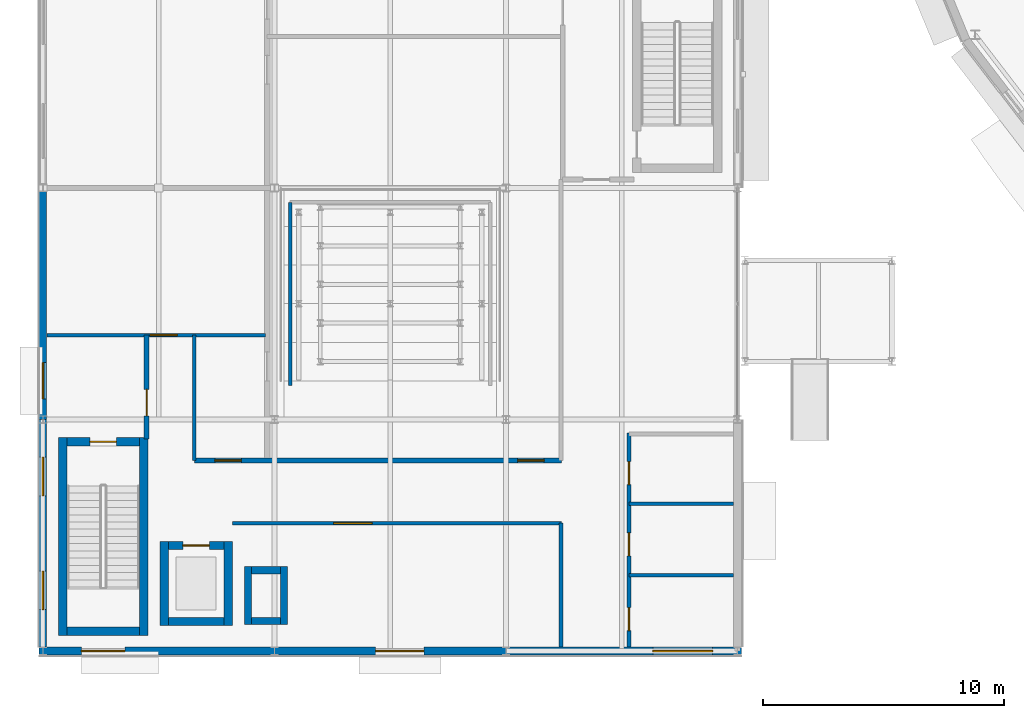
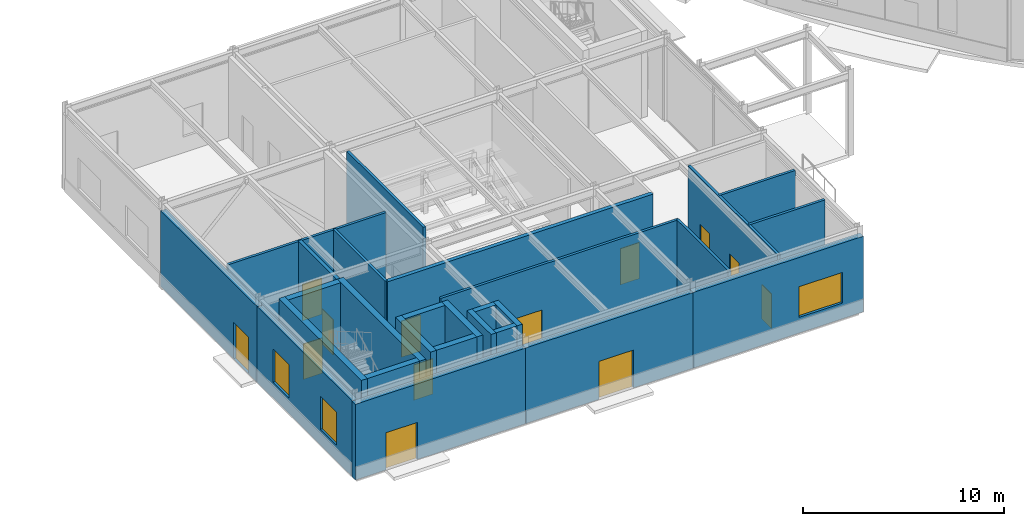
# One storey, part 117 of 168: 27 walls, 13 doors, 3 windows, 16 openings.
"""IFC4 building model written with IfcOpenShell, lengths in metres."""

from ifc_helpers import new_model, si_unit, direction, frame, frame_2d, origin, place, context, subcontext, project, spatial, rectangle, extrude, material, layer, layer_set, type_object, element, fill, save


model = new_model("IFC4")

# Units and contexts
model_context = context("Model", 3, precision=1e-05, world=origin(), true_north=direction((0.0, 1.0)))
body_context = subcontext(model_context, "Body", "Model", "MODEL_VIEW")
ifc_project = project(units=[si_unit("LENGTHUNIT", "METRE"), si_unit("AREAUNIT", "SQUARE_METRE"), si_unit("VOLUMEUNIT", "CUBIC_METRE"), si_unit("PLANEANGLEUNIT", "RADIAN"), si_unit("MASSUNIT", "GRAM", prefix="KILO")], contexts=[model_context])

# Site, building, storey
site_placement = place(None, origin())
site = spatial("IfcSite", under=ifc_project, at=site_placement, CompositionType="ELEMENT")
building_placement = place(site_placement, origin())
building = spatial("IfcBuilding", under=site, at=building_placement, Name="Almandine Court Research Institute", CompositionType="ELEMENT")
storey_placement = place(building_placement, origin())
storey = spatial("IfcBuildingStorey", under=building, at=storey_placement, Name="L00", CompositionType="ELEMENT", Elevation=0.0)

# Wall, openings, doors
ifc_material_1 = material(Name="STC-55 Double-Stud Lecture Acoustic Wall")
ifc_layer_1 = layer(ifc_material_1, 0.22509765625)
ifc_layer_set_1 = layer_set([ifc_layer_1], Name="STC-55 Double-Stud Lecture Acoustic Wall")
wall_type_1 = type_object("IfcWallType", Name="Wall-ACOUSTIC-225", PredefinedType="SOLIDWALL", material=ifc_layer_set_1)
wall_1_placement = place(storey_placement, frame((12.280029296875, 13.89990234375, 0.0), z_axis=(0.0, 0.0, 1.0), x_axis=(1.0, 0.0, 0.0)))
wall_1 = element("IfcWall", 1, at=wall_1_placement, inside=storey, type_object=wall_type_1, Name="L00 Interior Partition W-V1-L00-VESTW", PredefinedType="SOLIDWALL", context=body_context, shape_type="SweptSolid", body=[
    extrude(rectangle(XDim=15.219970703125, YDim=0.22509765625, at=frame_2d((7.60986328125, 0.0))), origin(), (0.0, 0.0, 1.0), 4.929931640625),
])
opening_1_placement = place(wall_1_placement, frame((0.85009765625, 0.0, 0.0)))
opening_1 = element("IfcOpeningElement", 2, at=opening_1_placement, cuts=wall_1, Name="Opening D-03", PredefinedType="OPENING", context=body_context, shape_type="SweptSolid", body=[
    extrude(rectangle(XDim=1.10009765625, YDim=2.199951171875, at=frame_2d((0.550048828125, 1.10009765625))), frame((0.0, 0.12255859375, 0.0), z_axis=(0.0, -1.0, 0.0), x_axis=(1.0, 0.0, 0.0)), (0.0, 0.0, 1.0), 0.2451171875),
])
opening_2_placement = place(wall_1_placement, frame((13.39990234375, 0.0, 0.0)))
opening_2 = element("IfcOpeningElement", 3, at=opening_2_placement, cuts=wall_1, Name="Opening D-03", PredefinedType="OPENING", context=body_context, shape_type="SweptSolid", body=[
    extrude(rectangle(XDim=1.10009765625, YDim=2.199951171875, at=frame_2d((0.550048828125, 1.10009765625))), frame((0.0, 0.12255859375, 0.0), z_axis=(0.0, -1.0, 0.0), x_axis=(1.0, 0.0, 0.0)), (0.0, 0.0, 1.0), 0.2451171875),
])
ifc_material_2 = material(Name="Acoustic Vision-Panel Seminar Door")
door_type_1 = type_object("IfcDoorType", Name="Door-INT-1100", OperationType="NOTDEFINED", PredefinedType="DOOR", material=ifc_material_2)
door_1_placement = place(opening_1_placement, origin())
door_1 = element("IfcDoor", 4, at=door_1_placement, inside=storey, type_object=door_type_1, Name="L00 Lecture Vestibule Outer Door", OperationType="SINGLE_SWING_RIGHT", OverallHeight=2.199951171875, OverallWidth=1.10009765625, PredefinedType="DOOR", context=body_context, shape_type="SweptSolid", body=[
    extrude(rectangle(XDim=1.10009765625, YDim=2.199951171875, at=frame_2d((0.550048828125, 1.10009765625))), frame((0.0, 0.02490234375, 0.0), z_axis=(0.0, -1.0, 0.0), x_axis=(1.0, 0.0, 0.0)), (0.0, 0.0, 1.0), 0.050048828125),
])
fill(opening_1, door_1)
door_2_placement = place(opening_2_placement, origin())
door_2 = element("IfcDoor", 5, at=door_2_placement, inside=storey, type_object=door_type_1, Name="L00 East Vestibule Outer Door", OperationType="SINGLE_SWING_LEFT", OverallHeight=2.199951171875, OverallWidth=1.10009765625, PredefinedType="DOOR", context=body_context, shape_type="SweptSolid", body=[
    extrude(rectangle(XDim=1.10009765625, YDim=2.199951171875, at=frame_2d((0.550048828125, 1.10009765625))), frame((0.0, 0.02490234375, 0.0), z_axis=(0.0, -1.0, 0.0), x_axis=(1.0, 0.0, 0.0)), (0.0, 0.0, 1.0), 0.050048828125),
])
fill(opening_2, door_2)

# Wall, openings, windows
ifc_material_3 = material(Name="Acoustic Lecture Pavilion Masonry Wall", Category="masonry")
ifc_layer_2 = layer(ifc_material_3, 0.31005859375)
ifc_layer_set_2 = layer_set([ifc_layer_2], Name="Acoustic Lecture Pavilion Masonry Wall")
wall_type_2 = type_object("IfcWallType", Name="Wall-EXT-ACOU-310", PredefinedType="SOLIDWALL", material=ifc_layer_set_2)
wall_2_placement = place(storey_placement, frame((6.0, 6.158935546875, 0.0), z_axis=(0.0, 0.0, 1.0), x_axis=(0.0, 1.0, 0.0)))
wall_2 = element("IfcWall", 6, at=wall_2_placement, inside=storey, type_object=wall_type_2, Name="L00 Lecture Pavilion West Acoustic Wall 1", PredefinedType="SOLIDWALL", context=body_context, shape_type="SweptSolid", body=[
    extrude(rectangle(XDim=9.43701171875, YDim=0.31005859375, at=frame_2d((4.718505859375, 0.0))), origin(), (0.0, 0.0, 1.0), 4.583984375),
])
opening_3_placement = place(wall_2_placement, frame((1.55908203125, 0.0, 0.949951171875)))
opening_3 = element("IfcOpeningElement", 7, at=opening_3_placement, cuts=wall_2, Name="Opening WN-01", PredefinedType="OPENING", context=body_context, shape_type="SweptSolid", body=[
    extrude(rectangle(XDim=1.60009765625, YDim=2.02001953125, at=frame_2d((0.800048828125, 1.010009765625))), frame((0.0, 0.1650390625, 0.0), z_axis=(0.0, -1.0, 0.0), x_axis=(1.0, 0.0, 0.0)), (0.0, 0.0, 1.0), 0.330078125),
])
opening_4_placement = place(wall_2_placement, frame((6.278076171875, 0.0, 0.949951171875)))
opening_4 = element("IfcOpeningElement", 8, at=opening_4_placement, cuts=wall_2, Name="Opening WN-01", PredefinedType="OPENING", context=body_context, shape_type="SweptSolid", body=[
    extrude(rectangle(XDim=1.60009765625, YDim=2.02001953125, at=frame_2d((0.800048828125, 1.010009765625))), frame((0.0, 0.1650390625, 0.0), z_axis=(0.0, -1.0, 0.0), x_axis=(1.0, 0.0, 0.0)), (0.0, 0.0, 1.0), 0.330078125),
])
ifc_material_4 = material(Name="Thermally Broken Low-E Double-Glazed Window", Category="glass")
window_type_1 = type_object("IfcWindowType", Name="Win-WN-01-1600x2020", PartitioningType="SINGLE_PANEL", PredefinedType="WINDOW", material=ifc_material_4)
window_1_placement = place(opening_3_placement, origin())
window_1 = element("IfcWindow", 9, at=window_1_placement, inside=storey, type_object=window_type_1, Name="L00 Modular Recessed Low-E Window 1", OverallHeight=2.02001953125, OverallWidth=1.60009765625, PartitioningType="SINGLE_PANEL", PredefinedType="WINDOW", context=body_context, shape_type="SweptSolid", body=[
    extrude(rectangle(XDim=1.60009765625, YDim=2.02001953125, at=frame_2d((0.800048828125, 1.010009765625))), frame((0.0, 0.030029296875, 0.0), z_axis=(0.0, -1.0, 0.0), x_axis=(1.0, 0.0, 0.0)), (0.0, 0.0, 1.0), 0.06005859375),
])
fill(opening_3, window_1)
window_2_placement = place(opening_4_placement, origin())
window_2 = element("IfcWindow", 10, at=window_2_placement, inside=storey, type_object=window_type_1, Name="L00 Modular Recessed Low-E Window 2", OverallHeight=2.02001953125, OverallWidth=1.60009765625, PartitioningType="SINGLE_PANEL", PredefinedType="WINDOW", context=body_context, shape_type="SweptSolid", body=[
    extrude(rectangle(XDim=1.60009765625, YDim=2.02001953125, at=frame_2d((0.800048828125, 1.010009765625))), frame((0.0, 0.030029296875, 0.0), z_axis=(0.0, -1.0, 0.0), x_axis=(1.0, 0.0, 0.0)), (0.0, 0.0, 1.0), 0.06005859375),
])
fill(opening_4, window_2)

# Wall, opening, door
wall_3_placement = place(storey_placement, frame((6.0, 15.60400390625, 0.0), z_axis=(0.0, 0.0, 1.0), x_axis=(0.0, 1.0, 0.0)))
wall_3 = element("IfcWall", 11, at=wall_3_placement, inside=storey, type_object=wall_type_2, Name="L00 Lecture Pavilion West Acoustic Wall 2", PredefinedType="SOLIDWALL", context=body_context, shape_type="SweptSolid", body=[
    extrude(rectangle(XDim=9.592041015625, YDim=0.31005859375, at=frame_2d((4.7958984375, 0.0))), origin(), (0.0, 0.0, 1.0), 4.583984375),
])
opening_5_placement = place(wall_3_placement, frame((0.85009765625, 0.0, 0.0)))
opening_5 = element("IfcOpeningElement", 12, at=opening_5_placement, cuts=wall_3, Name="Opening EX-03", PredefinedType="OPENING", context=body_context, shape_type="SweptSolid", body=[
    extrude(rectangle(XDim=1.5, YDim=2.199951171875, at=frame_2d((0.75, 1.10009765625))), frame((0.0, 0.1650390625, 0.0), z_axis=(0.0, -1.0, 0.0), x_axis=(1.0, 0.0, 0.0)), (0.0, 0.0, 1.0), 0.330078125),
])
ifc_material_5 = material(Name="Painted Steel Fire Exit Door", Category="steel")
door_type_2 = type_object("IfcDoorType", Name="Door-EX-1500", OperationType="DOUBLE_DOOR_SINGLE_SWING", PredefinedType="DOOR", material=ifc_material_5)
door_3_placement = place(opening_5_placement, origin())
door_3 = element("IfcDoor", 13, at=door_3_placement, inside=storey, type_object=door_type_2, Name="L00 ST-01 West Protected Exit Door", OperationType="DOUBLE_DOOR_SINGLE_SWING", OverallHeight=2.199951171875, OverallWidth=1.5, PredefinedType="DOOR", context=body_context, shape_type="SweptSolid", body=[
    extrude(rectangle(XDim=1.5, YDim=2.199951171875, at=frame_2d((0.75, 1.10009765625))), frame((0.0, 0.02490234375, 0.0), z_axis=(0.0, -1.0, 0.0), x_axis=(1.0, 0.0, 0.0)), (0.0, 0.0, 1.0), 0.050048828125),
])
fill(opening_5, door_3)

ifc_material_6 = material(Name="Andean Red-Buff Sandstone Plinth Wall", Category="masonry")
ifc_layer_3 = layer(ifc_material_6, 0.340087890625)
ifc_layer_set_3 = layer_set([ifc_layer_3], Name="Andean Red-Buff Sandstone Plinth Wall")
wall_type_3 = type_object("IfcWallType", Name="Wall-EXT-SAND-340", PredefinedType="SOLIDWALL", material=ifc_layer_set_3)
wall_4_placement = place(storey_placement, frame((15.595947265625, 6.0, 0.0), z_axis=(0.0, 0.0, 1.0), x_axis=(-1.0, 0.0, 0.0)))
wall_4 = element("IfcWall", 14, at=wall_4_placement, inside=storey, type_object=wall_type_3, Name="L00 Lecture Pavilion South Boulevard Wall 1", PredefinedType="SOLIDWALL", context=body_context, shape_type="SweptSolid", body=[
    extrude(rectangle(XDim=9.765869140625, YDim=0.340087890625, at=frame_2d((4.8828125, 0.0))), origin(), (0.0, 0.0, 1.0), 4.583984375),
])
opening_6_placement = place(wall_4_placement, frame((6.199951171875, 0.0, 0.0)))
opening_6 = element("IfcOpeningElement", 15, at=opening_6_placement, cuts=wall_4, Name="Opening EX-02", PredefinedType="OPENING", context=body_context, shape_type="SweptSolid", body=[
    extrude(rectangle(XDim=1.800048828125, YDim=2.25, at=frame_2d((0.89990234375, 1.125))), frame((0.0, 0.179931640625, 0.0), z_axis=(0.0, -1.0, 0.0), x_axis=(1.0, 0.0, 0.0)), (0.0, 0.0, 1.0), 0.360107421875),
])
ifc_material_7 = material(Name="Anodised Aluminium Exit Discharge Door", Category="aluminium")
door_type_3 = type_object("IfcDoorType", Name="Door-EX-1800", OperationType="DOUBLE_DOOR_SINGLE_SWING", PredefinedType="DOOR", material=ifc_material_7)
door_4_placement = place(opening_6_placement, origin())
door_4 = element("IfcDoor", 16, at=door_4_placement, inside=storey, type_object=door_type_3, Name="L00 V1 South Foyer Exit Door", OperationType="DOUBLE_DOOR_SINGLE_SWING", OverallHeight=2.25, OverallWidth=1.800048828125, PredefinedType="DOOR", context=body_context, shape_type="SweptSolid", body=[
    extrude(rectangle(XDim=1.800048828125, YDim=2.25, at=frame_2d((0.89990234375, 1.125))), frame((0.0, 0.02490234375, 0.0), z_axis=(0.0, -1.0, 0.0), x_axis=(1.0, 0.0, 0.0)), (0.0, 0.0, 1.0), 0.050048828125),
])
fill(opening_6, door_4)

wall_5_placement = place(storey_placement, frame((25.196044921875, 6.0, 0.0), z_axis=(0.0, 0.0, 1.0), x_axis=(-1.0, 0.0, 0.0)))
wall_5 = element("IfcWall", 17, at=wall_5_placement, inside=storey, type_object=wall_type_3, Name="L00 Lecture Pavilion South Boulevard Wall 2", PredefinedType="SOLIDWALL", context=body_context, shape_type="SweptSolid", body=[
    extrude(rectangle(XDim=9.592041015625, YDim=0.340087890625, at=frame_2d((4.7958984375, 0.0))), origin(), (0.0, 0.0, 1.0), 4.583984375),
])
opening_7_placement = place(wall_5_placement, frame((3.39990234375, 0.0, 0.0)))
opening_7 = element("IfcOpeningElement", 18, at=opening_7_placement, cuts=wall_5, Name="Opening EX-01", PredefinedType="OPENING", context=body_context, shape_type="SweptSolid", body=[
    extrude(rectangle(XDim=2.0, YDim=2.300048828125, at=frame_2d((1.0, 1.14990234375))), frame((0.0, 0.179931640625, 0.0), z_axis=(0.0, -1.0, 0.0), x_axis=(1.0, 0.0, 0.0)), (0.0, 0.0, 1.0), 0.360107421875),
])
ifc_material_8 = material(Name="Anodised Aluminium Glazed Exit Door", Category="aluminium")
door_type_4 = type_object("IfcDoorType", Name="Door-EX-2000", OperationType="DOUBLE_DOOR_SINGLE_SWING", PredefinedType="DOOR", material=ifc_material_8)
door_5_placement = place(opening_7_placement, origin())
door_5 = element("IfcDoor", 19, at=door_5_placement, inside=storey, type_object=door_type_4, Name="L00 Lecture Foyer Boulevard Main Exit Door", OperationType="DOUBLE_DOOR_SINGLE_SWING", OverallHeight=2.300048828125, OverallWidth=2.0, PredefinedType="DOOR", context=body_context, shape_type="SweptSolid", body=[
    extrude(rectangle(XDim=2.0, YDim=2.300048828125, at=frame_2d((1.0, 1.14990234375))), frame((0.0, 0.02490234375, 0.0), z_axis=(0.0, -1.0, 0.0), x_axis=(1.0, 0.0, 0.0)), (0.0, 0.0, 1.0), 0.050048828125),
])
fill(opening_7, door_5)

# Wall, opening, window
wall_6_placement = place(storey_placement, frame((34.969970703125, 6.0, 0.0), z_axis=(0.0, 0.0, 1.0), x_axis=(-1.0, 0.0, 0.0)))
wall_6 = element("IfcWall", 20, at=wall_6_placement, inside=storey, type_object=wall_type_3, Name="L00 Lecture Pavilion South Boulevard Wall 3", PredefinedType="SOLIDWALL", context=body_context, shape_type="SweptSolid", body=[
    extrude(rectangle(XDim=9.765869140625, YDim=0.340087890625, at=frame_2d((4.8828125, 0.0))), origin(), (0.0, 0.0, 1.0), 4.583984375),
])
opening_8_placement = place(wall_6_placement, frame((1.200927734375, 0.0, 0.949951171875)))
opening_8 = element("IfcOpeningElement", 21, at=opening_8_placement, cuts=wall_6, Name="Opening WN-05", PredefinedType="OPENING", context=body_context, shape_type="SweptSolid", body=[
    extrude(rectangle(XDim=2.47998046875, YDim=1.860107421875, at=frame_2d((1.239990234375, 0.93017578125))), frame((0.0, 0.179931640625, 0.0), z_axis=(0.0, -1.0, 0.0), x_axis=(1.0, 0.0, 0.0)), (0.0, 0.0, 1.0), 0.360107421875),
])
window_type_2 = type_object("IfcWindowType", Name="Win-WN-05-2480x1860", PartitioningType="SINGLE_PANEL", PredefinedType="WINDOW", material=ifc_material_4)
window_3_placement = place(opening_8_placement, origin())
window_3 = element("IfcWindow", 22, at=window_3_placement, inside=storey, type_object=window_type_2, Name="L00 Modular Recessed Low-E Window 9", OverallHeight=1.860107421875, OverallWidth=2.47998046875, PartitioningType="SINGLE_PANEL", PredefinedType="WINDOW", context=body_context, shape_type="SweptSolid", body=[
    extrude(rectangle(XDim=2.47998046875, YDim=1.860107421875, at=frame_2d((1.239990234375, 0.93017578125))), frame((0.0, 0.030029296875, 0.0), z_axis=(0.0, -1.0, 0.0), x_axis=(1.0, 0.0, 0.0)), (0.0, 0.0, 1.0), 0.06005859375),
])
fill(opening_8, window_3)

# Wall, opening, door
ifc_material_9 = material(Name="Two-Hour Fire-Barrier Enclosure Wall")
ifc_layer_4 = layer(ifc_material_9, 0.199951171875)
ifc_layer_set_4 = layer_set([ifc_layer_4], Name="Two-Hour Fire-Barrier Enclosure Wall")
wall_type_4 = type_object("IfcWallType", Name="Wall-FIRE-200", PredefinedType="SOLIDWALL", material=ifc_layer_set_4)
wall_7_placement = place(storey_placement, frame((10.300048828125, 14.800048828125, 0.0), z_axis=(0.0, 0.0, 1.0), x_axis=(0.0, 1.0, 0.0)))
wall_7 = element("IfcWall", 23, at=wall_7_placement, inside=storey, type_object=wall_type_4, Name="L00 Interior Partition W-EP-ST01-E", PredefinedType="SOLIDWALL", context=body_context, shape_type="SweptSolid", body=[
    extrude(rectangle(XDim=4.300048828125, YDim=0.199951171875, at=frame_2d((2.14990234375, 0.0))), origin(), (0.0, 0.0, 1.0), 4.929931640625),
])
opening_9_placement = place(wall_7_placement, frame((0.949951171875, 0.0, 0.0)))
opening_9 = element("IfcOpeningElement", 24, at=opening_9_placement, cuts=wall_7, Name="Opening FD-FFL", PredefinedType="OPENING", context=body_context, shape_type="SweptSolid", body=[
    extrude(rectangle(XDim=1.10009765625, YDim=2.14990234375, at=frame_2d((0.550048828125, 1.074951171875))), frame((0.0, 0.10986328125, 0.0), z_axis=(0.0, -1.0, 0.0), x_axis=(1.0, 0.0, 0.0)), (0.0, 0.0, 1.0), 0.219970703125),
])
ifc_material_10 = material(Name="Smoke-Tight Firefighting Lobby Fire Door")
door_type_5 = type_object("IfcDoorType", Name="Door-FD-FFL-1100", OperationType="NOTDEFINED", PredefinedType="DOOR", material=ifc_material_10)
door_6_placement = place(opening_9_placement, origin())
door_6 = element("IfcDoor", 25, at=door_6_placement, inside=storey, type_object=door_type_5, Name="L00 ST-01 Exit Lobby Corridor Fire Door", OperationType="SINGLE_SWING_LEFT", OverallHeight=2.14990234375, OverallWidth=1.10009765625, PredefinedType="DOOR", context=body_context, shape_type="SweptSolid", body=[
    extrude(rectangle(XDim=1.10009765625, YDim=2.14990234375, at=frame_2d((0.550048828125, 1.074951171875))), frame((0.0, 0.02490234375, 0.0), z_axis=(0.0, -1.0, 0.0), x_axis=(1.0, 0.0, 0.0)), (0.0, 0.0, 1.0), 0.050048828125),
])
fill(opening_9, door_6)

# Walls
ifc_material_11 = material(Name="Acoustic Steel-Stud Gypsum Partition Wall", Category="steel")
ifc_layer_5 = layer(ifc_material_11, 0.14990234375)
ifc_layer_set_5 = layer_set([ifc_layer_5], Name="Acoustic Steel-Stud Gypsum Partition Wall")
wall_type_5 = type_object("IfcWallType", Name="Wall-PART-150", PredefinedType="PARTITIONING", material=ifc_layer_set_5)
wall_8_placement = place(storey_placement, frame((16.25, 17.0, 0.0), z_axis=(0.0, 0.0, 1.0), x_axis=(0.0, 1.0, 0.0)))
element("IfcWall", 26, at=wall_8_placement, inside=storey, type_object=wall_type_5, Name="L00 Interior Partition W-V1-TIER-W", PredefinedType="PARTITIONING", context=body_context, shape_type="SweptSolid", body=[
    extrude(rectangle(XDim=7.60009765625, YDim=0.14990234375, at=frame_2d((3.800048828125, 0.0))), origin(), (0.0, 0.0, 1.0), 4.929931640625),
])
for number, where, z_axis, x_axis, name in (
    (27, (30.300048828125, 9.14990234375, 0.0), (0.0, 0.0, 1.0), (1.0, 0.0, 0.0), "L00 Interior Partition W-V1-L00-WCH-1"),
    (28, (30.300048828125, 12.10009765625, 0.0), (0.0, 0.0, 1.0), (1.0, 0.0, 0.0), "L00 Interior Partition W-V1-L00-WCH-2"),
):
    element("IfcWall", number, at=place(storey_placement, frame(where, z_axis=z_axis, x_axis=x_axis)), inside=storey, type_object=wall_type_5, Name=name, PredefinedType="PARTITIONING", context=body_context, shape_type="SweptSolid", body=[
        extrude(rectangle(XDim=4.33984375, YDim=0.14990234375, at=frame_2d((2.169921875, 0.0))), origin(), (0.0, 0.0, 1.0), 4.929931640625),
    ])

# Wall, openings, doors
wall_9_placement = place(storey_placement, frame((30.300048828125, 6.159912109375, 0.0), z_axis=(0.0, 0.0, 1.0), x_axis=(0.0, 1.0, 0.0)))
wall_9 = element("IfcWall", 29, at=wall_9_placement, inside=storey, type_object=wall_type_5, Name="L00 Interior Partition W-V1-L00-WC-ALL", PredefinedType="PARTITIONING", context=body_context, shape_type="SweptSolid", body=[
    extrude(rectangle(XDim=8.89013671875, YDim=0.14990234375, at=frame_2d((4.445068359375, 0.0))), origin(), (0.0, 0.0, 1.0), 4.929931640625),
])
opening_10_placement = place(wall_9_placement, frame((0.68994140625, 0.0, 0.0)))
opening_10 = element("IfcOpeningElement", 30, at=opening_10_placement, cuts=wall_9, Name="Opening D-01", PredefinedType="OPENING", context=body_context, shape_type="SweptSolid", body=[
    extrude(rectangle(XDim=0.949951171875, YDim=2.10009765625, at=frame_2d((0.47509765625, 1.050048828125))), frame((0.0, 0.0849609375, 0.0), z_axis=(0.0, -1.0, 0.0), x_axis=(1.0, 0.0, 0.0)), (0.0, 0.0, 1.0), 0.169921875),
])
opening_11_placement = place(wall_9_placement, frame((3.7900390625, 0.0, 0.0)))
opening_11 = element("IfcOpeningElement", 31, at=opening_11_placement, cuts=wall_9, Name="Opening D-01", PredefinedType="OPENING", context=body_context, shape_type="SweptSolid", body=[
    extrude(rectangle(XDim=0.949951171875, YDim=2.10009765625, at=frame_2d((0.47509765625, 1.050048828125))), frame((0.0, 0.0849609375, 0.0), z_axis=(0.0, -1.0, 0.0), x_axis=(1.0, 0.0, 0.0)), (0.0, 0.0, 1.0), 0.169921875),
])
opening_12_placement = place(wall_9_placement, frame((6.739990234375, 0.0, 0.0)))
opening_12 = element("IfcOpeningElement", 32, at=opening_12_placement, cuts=wall_9, Name="Opening D-01", PredefinedType="OPENING", context=body_context, shape_type="SweptSolid", body=[
    extrude(rectangle(XDim=0.949951171875, YDim=2.10009765625, at=frame_2d((0.47509765625, 1.050048828125))), frame((0.0, 0.0849609375, 0.0), z_axis=(0.0, -1.0, 0.0), x_axis=(1.0, 0.0, 0.0)), (0.0, 0.0, 1.0), 0.169921875),
])
ifc_material_12 = material(Name="Solid-Core Timber Acoustic Room Door", Category="wood")
door_type_6 = type_object("IfcDoorType", Name="Door-INT-950", OperationType="NOTDEFINED", PredefinedType="DOOR", material=ifc_material_12)
door_7_placement = place(opening_10_placement, origin())
door_7 = element("IfcDoor", 33, at=door_7_placement, inside=storey, type_object=door_type_6, Name="L00 V1 Male Toilet Door", OperationType="SINGLE_SWING_RIGHT", OverallHeight=2.10009765625, OverallWidth=0.949951171875, PredefinedType="DOOR", context=body_context, shape_type="SweptSolid", body=[
    extrude(rectangle(XDim=0.949951171875, YDim=2.10009765625, at=frame_2d((0.47509765625, 1.050048828125))), frame((0.0, 0.02490234375, 0.0), z_axis=(0.0, -1.0, 0.0), x_axis=(1.0, 0.0, 0.0)), (0.0, 0.0, 1.0), 0.050048828125),
])
fill(opening_10, door_7)
door_8_placement = place(opening_11_placement, origin())
door_8 = element("IfcDoor", 34, at=door_8_placement, inside=storey, type_object=door_type_6, Name="L00 V1 Female Toilet Door", OperationType="SINGLE_SWING_LEFT", OverallHeight=2.10009765625, OverallWidth=0.949951171875, PredefinedType="DOOR", context=body_context, shape_type="SweptSolid", body=[
    extrude(rectangle(XDim=0.949951171875, YDim=2.10009765625, at=frame_2d((0.47509765625, 1.050048828125))), frame((0.0, 0.02490234375, 0.0), z_axis=(0.0, -1.0, 0.0), x_axis=(1.0, 0.0, 0.0)), (0.0, 0.0, 1.0), 0.050048828125),
])
fill(opening_11, door_8)
door_9_placement = place(opening_12_placement, origin())
door_9 = element("IfcDoor", 35, at=door_9_placement, inside=storey, type_object=door_type_6, Name="L00 V1 Accessible WC Door", OperationType="SINGLE_SWING_RIGHT", OverallHeight=2.10009765625, OverallWidth=0.949951171875, PredefinedType="DOOR", context=body_context, shape_type="SweptSolid", body=[
    extrude(rectangle(XDim=0.949951171875, YDim=2.10009765625, at=frame_2d((0.47509765625, 1.050048828125))), frame((0.0, 0.02490234375, 0.0), z_axis=(0.0, -1.0, 0.0), x_axis=(1.0, 0.0, 0.0)), (0.0, 0.0, 1.0), 0.050048828125),
])
fill(opening_12, door_9)

# Wall, opening, door
wall_10_placement = place(storey_placement, frame((13.85009765625, 11.300048828125, 0.0), z_axis=(0.0, 0.0, 1.0), x_axis=(1.0, 0.0, 0.0)))
wall_10 = element("IfcWall", 36, at=wall_10_placement, inside=storey, type_object=wall_type_5, Name="L00 Interior Partition W-V1-L00-FOY", PredefinedType="PARTITIONING", context=body_context, shape_type="SweptSolid", body=[
    extrude(rectangle(XDim=13.64990234375, YDim=0.14990234375, at=frame_2d((6.824951171875, 0.0))), origin(), (0.0, 0.0, 1.0), 4.929931640625),
])
opening_13_placement = place(wall_10_placement, frame((4.199951171875, 0.0, 0.0)))
opening_13 = element("IfcOpeningElement", 37, at=opening_13_placement, cuts=wall_10, Name="Opening D-05", PredefinedType="OPENING", context=body_context, shape_type="SweptSolid", body=[
    extrude(rectangle(XDim=1.60009765625, YDim=2.199951171875, at=frame_2d((0.800048828125, 1.10009765625))), frame((0.0, 0.0849609375, 0.0), z_axis=(0.0, -1.0, 0.0), x_axis=(1.0, 0.0, 0.0)), (0.0, 0.0, 1.0), 0.169921875),
])
ifc_material_13 = material(Name="Double-Leaf Exhibition Foyer Door")
door_type_7 = type_object("IfcDoorType", Name="Door-INT-1600", OperationType="DOUBLE_DOOR_SINGLE_SWING", PredefinedType="DOOR", material=ifc_material_13)
door_10_placement = place(opening_13_placement, origin())
door_10 = element("IfcDoor", 38, at=door_10_placement, inside=storey, type_object=door_type_7, Name="L00 Exhibition Foyer Double Door", OperationType="DOUBLE_DOOR_SINGLE_SWING", OverallHeight=2.199951171875, OverallWidth=1.60009765625, PredefinedType="DOOR", context=body_context, shape_type="SweptSolid", body=[
    extrude(rectangle(XDim=1.60009765625, YDim=2.199951171875, at=frame_2d((0.800048828125, 1.10009765625))), frame((0.0, 0.02490234375, 0.0), z_axis=(0.0, -1.0, 0.0), x_axis=(1.0, 0.0, 0.0)), (0.0, 0.0, 1.0), 0.050048828125),
])
fill(opening_13, door_10)

# Walls
wall_11_placement = place(storey_placement, frame((27.47998046875, 6.159912109375, 0.0), z_axis=(0.0, 0.0, 1.0), x_axis=(0.0, 1.0, 0.0)))
element("IfcWall", 39, at=wall_11_placement, inside=storey, type_object=wall_type_5, Name="L00 Interior Partition W-V1-L00-FOYE", PredefinedType="PARTITIONING", context=body_context, shape_type="SweptSolid", body=[
    extrude(rectangle(XDim=5.14013671875, YDim=0.14990234375, at=frame_2d((2.570068359375, 0.0))), origin(), (0.0, 0.0, 1.0), 4.929931640625),
])
wall_12_placement = place(storey_placement, frame((12.280029296875, 13.89990234375, 0.0), z_axis=(0.0, 0.0, 1.0), x_axis=(0.0, 1.0, 0.0)))
element("IfcWall", 40, at=wall_12_placement, inside=storey, type_object=wall_type_5, Name="L00 Interior Partition W-V1-L00-VESTW-SIDE", PredefinedType="PARTITIONING", context=body_context, shape_type="SweptSolid", body=[
    extrude(rectangle(XDim=5.2001953125, YDim=0.14990234375, at=frame_2d((2.60009765625, 0.0))), origin(), (0.0, 0.0, 1.0), 4.929931640625),
])

# Wall, opening, door
wall_13_placement = place(storey_placement, frame((6.159912109375, 19.10009765625, 0.0), z_axis=(0.0, 0.0, 1.0), x_axis=(1.0, 0.0, 0.0)))
wall_13 = element("IfcWall", 41, at=wall_13_placement, inside=storey, type_object=wall_type_5, Name="L00 Interior Partition W-V1-L00-SEM", PredefinedType="PARTITIONING", context=body_context, shape_type="SweptSolid", body=[
    extrude(rectangle(XDim=9.06005859375, YDim=0.14990234375, at=frame_2d((4.530029296875, 0.0))), origin(), (0.0, 0.0, 1.0), 4.929931640625),
])
opening_14_placement = place(wall_13_placement, frame((4.300048828125, 0.0, 0.0)))
opening_14 = element("IfcOpeningElement", 42, at=opening_14_placement, cuts=wall_13, Name="Opening D-03", PredefinedType="OPENING", context=body_context, shape_type="SweptSolid", body=[
    extrude(rectangle(XDim=1.10009765625, YDim=2.199951171875, at=frame_2d((0.550048828125, 1.10009765625))), frame((0.0, 0.0849609375, 0.0), z_axis=(0.0, -1.0, 0.0), x_axis=(1.0, 0.0, 0.0)), (0.0, 0.0, 1.0), 0.169921875),
])
door_11_placement = place(opening_14_placement, origin())
door_11 = element("IfcDoor", 43, at=door_11_placement, inside=storey, type_object=door_type_1, Name="L00 Breakout Seminar Room Door", OperationType="SINGLE_SWING_LEFT", OverallHeight=2.199951171875, OverallWidth=1.10009765625, PredefinedType="DOOR", context=body_context, shape_type="SweptSolid", body=[
    extrude(rectangle(XDim=1.10009765625, YDim=2.199951171875, at=frame_2d((0.550048828125, 1.10009765625))), frame((0.0, 0.02490234375, 0.0), z_axis=(0.0, -1.0, 0.0), x_axis=(1.0, 0.0, 0.0)), (0.0, 0.0, 1.0), 0.050048828125),
])
fill(opening_14, door_11)

# Walls
ifc_material_14 = material(Name="Concrete C40/50", Category="concrete")
ifc_layer_6 = layer(ifc_material_14, 0.300048828125)
ifc_layer_set_6 = layer_set([ifc_layer_6], Name="Concrete C40/50")
wall_type_6 = type_object("IfcWallType", Name="Wall-SW-CORE-300", PredefinedType="SHEAR", material=ifc_layer_set_6)
wall_14_placement = place(storey_placement, frame((14.5, 7.10009765625, 0.0), z_axis=(0.0, 0.0, 1.0), x_axis=(0.0, 1.0, 0.0)))
element("IfcWall", 44, at=wall_14_placement, inside=storey, type_object=wall_type_6, Name="L00 MEP Riser RS-V1 W Shear Wall", PredefinedType="SHEAR", context=body_context, shape_type="SweptSolid", body=[
    extrude(rectangle(XDim=2.39990234375, YDim=0.300048828125, at=frame_2d((1.199951171875, 0.0))), origin(), (0.0, 0.0, 1.0), 5.070068359375),
])
wall_15_placement = place(storey_placement, frame((14.64990234375, 9.35009765625, 0.0), z_axis=(0.0, 0.0, 1.0), x_axis=(1.0, 0.0, 0.0)))
element("IfcWall", 45, at=wall_15_placement, inside=storey, type_object=wall_type_6, Name="L00 MEP Riser RS-V1 N Shear Wall", PredefinedType="SHEAR", context=body_context, shape_type="SweptSolid", body=[
    extrude(rectangle(XDim=1.2001953125, YDim=0.300048828125, at=frame_2d((0.60009765625, 0.0))), origin(), (0.0, 0.0, 1.0), 5.070068359375),
])
wall_16_placement = place(storey_placement, frame((16.0, 9.5, 0.0), z_axis=(0.0, 0.0, 1.0), x_axis=(0.0, -1.0, 0.0)))
element("IfcWall", 46, at=wall_16_placement, inside=storey, type_object=wall_type_6, Name="L00 MEP Riser RS-V1 E Shear Wall", PredefinedType="SHEAR", context=body_context, shape_type="SweptSolid", body=[
    extrude(rectangle(XDim=2.39990234375, YDim=0.300048828125, at=frame_2d((1.199951171875, 0.0))), origin(), (0.0, 0.0, 1.0), 5.070068359375),
])
wall_17_placement = place(storey_placement, frame((15.85009765625, 7.25, 0.0), z_axis=(0.0, 0.0, 1.0), x_axis=(-1.0, 0.0, 0.0)))
element("IfcWall", 47, at=wall_17_placement, inside=storey, type_object=wall_type_6, Name="L00 MEP Riser RS-V1 S Shear Wall", PredefinedType="SHEAR", context=body_context, shape_type="SweptSolid", body=[
    extrude(rectangle(XDim=1.2001953125, YDim=0.300048828125, at=frame_2d((0.60009765625, 0.0))), origin(), (0.0, 0.0, 1.0), 5.070068359375),
])
ifc_layer_7 = layer(ifc_material_14, 0.35009765625)
ifc_layer_set_7 = layer_set([ifc_layer_7], Name="Concrete C40/50")
wall_type_7 = type_object("IfcWallType", Name="Wall-SW-CORE-350", PredefinedType="SHEAR", material=ifc_layer_set_7)
wall_18_placement = place(storey_placement, frame((6.824951171875, 6.64990234375, 0.0), z_axis=(0.0, 0.0, 1.0), x_axis=(0.0, 1.0, 0.0)))
element("IfcWall", 48, at=wall_18_placement, inside=storey, type_object=wall_type_7, Name="L00 ST-01 W Shear Wall", PredefinedType="SHEAR", context=body_context, shape_type="SweptSolid", body=[
    extrude(rectangle(XDim=8.2001953125, YDim=0.35009765625, at=frame_2d((4.10009765625, 0.0))), origin(), (0.0, 0.0, 1.0), 5.25),
])

# Wall, opening, door
wall_19_placement = place(storey_placement, frame((7.0, 14.675048828125, 0.0), z_axis=(0.0, 0.0, 1.0), x_axis=(1.0, 0.0, 0.0)))
wall_19 = element("IfcWall", 49, at=wall_19_placement, inside=storey, type_object=wall_type_7, Name="L00 ST-01 N Shear Wall", PredefinedType="SHEAR", context=body_context, shape_type="SweptSolid", body=[
    extrude(rectangle(XDim=3.0, YDim=0.35009765625, at=frame_2d((1.5, 0.0))), origin(), (0.0, 0.0, 1.0), 5.25),
])
opening_15_placement = place(wall_19_placement, frame((0.949951171875, 0.0, 0.0)))
opening_15 = element("IfcOpeningElement", 50, at=opening_15_placement, cuts=wall_19, Name="Opening FD-STAIR", PredefinedType="OPENING", context=body_context, shape_type="SweptSolid", body=[
    extrude(rectangle(XDim=1.10009765625, YDim=2.14990234375, at=frame_2d((0.550048828125, 1.074951171875))), frame((0.0, 0.18505859375, 0.0), z_axis=(0.0, -1.0, 0.0), x_axis=(1.0, 0.0, 0.0)), (0.0, 0.0, 1.0), 0.3701171875),
])
ifc_material_15 = material(Name="Self-Closing Steel Exit Stair Fire Door", Category="steel")
door_type_8 = type_object("IfcDoorType", Name="Door-FD-STAIR-1100", OperationType="NOTDEFINED", PredefinedType="DOOR", material=ifc_material_15)
door_12_placement = place(opening_15_placement, origin())
door_12 = element("IfcDoor", 51, at=door_12_placement, inside=storey, type_object=door_type_8, Name="L00 Exit Stair ST-01 Fire Door", OperationType="SINGLE_SWING_RIGHT", OverallHeight=2.14990234375, OverallWidth=1.10009765625, PredefinedType="DOOR", context=body_context, shape_type="SweptSolid", body=[
    extrude(rectangle(XDim=1.10009765625, YDim=2.14990234375, at=frame_2d((0.550048828125, 1.074951171875))), frame((0.0, 0.02490234375, 0.0), z_axis=(0.0, -1.0, 0.0), x_axis=(1.0, 0.0, 0.0)), (0.0, 0.0, 1.0), 0.050048828125),
])
fill(opening_15, door_12)

# Walls
wall_20_placement = place(storey_placement, frame((10.175048828125, 14.85009765625, 0.0), z_axis=(0.0, 0.0, 1.0), x_axis=(0.0, -1.0, 0.0)))
element("IfcWall", 52, at=wall_20_placement, inside=storey, type_object=wall_type_7, Name="L00 ST-01 E Shear Wall", PredefinedType="SHEAR", context=body_context, shape_type="SweptSolid", body=[
    extrude(rectangle(XDim=8.2001953125, YDim=0.35009765625, at=frame_2d((4.10009765625, 0.0))), origin(), (0.0, 0.0, 1.0), 5.25),
])
wall_21_placement = place(storey_placement, frame((10.0, 6.824951171875, 0.0), z_axis=(0.0, 0.0, 1.0), x_axis=(-1.0, 0.0, 0.0)))
element("IfcWall", 53, at=wall_21_placement, inside=storey, type_object=wall_type_7, Name="L00 ST-01 S Shear Wall", PredefinedType="SHEAR", context=body_context, shape_type="SweptSolid", body=[
    extrude(rectangle(XDim=3.0, YDim=0.35009765625, at=frame_2d((1.5, 0.0))), origin(), (0.0, 0.0, 1.0), 5.25),
])
wall_22_placement = place(storey_placement, frame((11.02490234375, 7.050048828125, 0.0), z_axis=(0.0, 0.0, 1.0), x_axis=(0.0, 1.0, 0.0)))
element("IfcWall", 54, at=wall_22_placement, inside=storey, type_object=wall_type_7, Name="L00 PL-01 Hoistway W Shear Wall", PredefinedType="SHEAR", context=body_context, shape_type="SweptSolid", body=[
    extrude(rectangle(XDim=3.5, YDim=0.35009765625, at=frame_2d((1.75, 0.0))), origin(), (0.0, 0.0, 1.0), 5.25),
])

# Wall, opening, door
wall_23_placement = place(storey_placement, frame((11.199951171875, 10.375, 0.0), z_axis=(0.0, 0.0, 1.0), x_axis=(1.0, 0.0, 0.0)))
wall_23 = element("IfcWall", 55, at=wall_23_placement, inside=storey, type_object=wall_type_7, Name="L00 PL-01 Hoistway N Shear Wall", PredefinedType="SHEAR", context=body_context, shape_type="SweptSolid", body=[
    extrude(rectangle(XDim=2.300048828125, YDim=0.35009765625, at=frame_2d((1.14990234375, 0.0))), origin(), (0.0, 0.0, 1.0), 5.25),
])
opening_16_placement = place(wall_23_placement, frame((0.60009765625, 0.0, 0.0)))
opening_16 = element("IfcOpeningElement", 56, at=opening_16_placement, cuts=wall_23, Name="Opening LD-01", PredefinedType="OPENING", context=body_context, shape_type="SweptSolid", body=[
    extrude(rectangle(XDim=1.10009765625, YDim=2.14990234375, at=frame_2d((0.550048828125, 1.074951171875))), frame((0.0, 0.18505859375, 0.0), z_axis=(0.0, -1.0, 0.0), x_axis=(1.0, 0.0, 0.0)), (0.0, 0.0, 1.0), 0.3701171875),
])
ifc_material_16 = material(Name="Stainless Steel Lift Landing Sliding Door", Category="steel")
door_type_9 = type_object("IfcDoorType", Name="Door-LD-PASS-1100", OperationType="SLIDING_TO_LEFT", PredefinedType="USERDEFINED", material=ifc_material_16)
door_13_placement = place(opening_16_placement, origin())
door_13 = element("IfcDoor", 57, at=door_13_placement, inside=storey, type_object=door_type_9, Name="L00 Lecture Pavilion Passenger Lift PL-01 Sliding Landing Door", ObjectType="LANDING DOOR", OperationType="SLIDING_TO_LEFT", OverallHeight=2.14990234375, OverallWidth=1.10009765625, PredefinedType="USERDEFINED", context=body_context, shape_type="SweptSolid", body=[
    extrude(rectangle(XDim=1.10009765625, YDim=2.14990234375, at=frame_2d((0.550048828125, 1.074951171875))), frame((0.0, 0.02490234375, 0.0), z_axis=(0.0, -1.0, 0.0), x_axis=(1.0, 0.0, 0.0)), (0.0, 0.0, 1.0), 0.050048828125),
])
fill(opening_16, door_13)

# Walls
wall_24_placement = place(storey_placement, frame((13.675048828125, 10.550048828125, 0.0), z_axis=(0.0, 0.0, 1.0), x_axis=(0.0, -1.0, 0.0)))
element("IfcWall", 58, at=wall_24_placement, inside=storey, type_object=wall_type_7, Name="L00 PL-01 Hoistway E Shear Wall", PredefinedType="SHEAR", context=body_context, shape_type="SweptSolid", body=[
    extrude(rectangle(XDim=3.5, YDim=0.35009765625, at=frame_2d((1.75, 0.0))), origin(), (0.0, 0.0, 1.0), 5.25),
])
wall_25_placement = place(storey_placement, frame((13.5, 7.22509765625, 0.0), z_axis=(0.0, 0.0, 1.0), x_axis=(-1.0, 0.0, 0.0)))
element("IfcWall", 59, at=wall_25_placement, inside=storey, type_object=wall_type_7, Name="L00 PL-01 Hoistway S Shear Wall", PredefinedType="SHEAR", context=body_context, shape_type="SweptSolid", body=[
    extrude(rectangle(XDim=2.300048828125, YDim=0.35009765625, at=frame_2d((1.14990234375, 0.0))), origin(), (0.0, 0.0, 1.0), 5.25),
])

save(model, "model.ifc")
